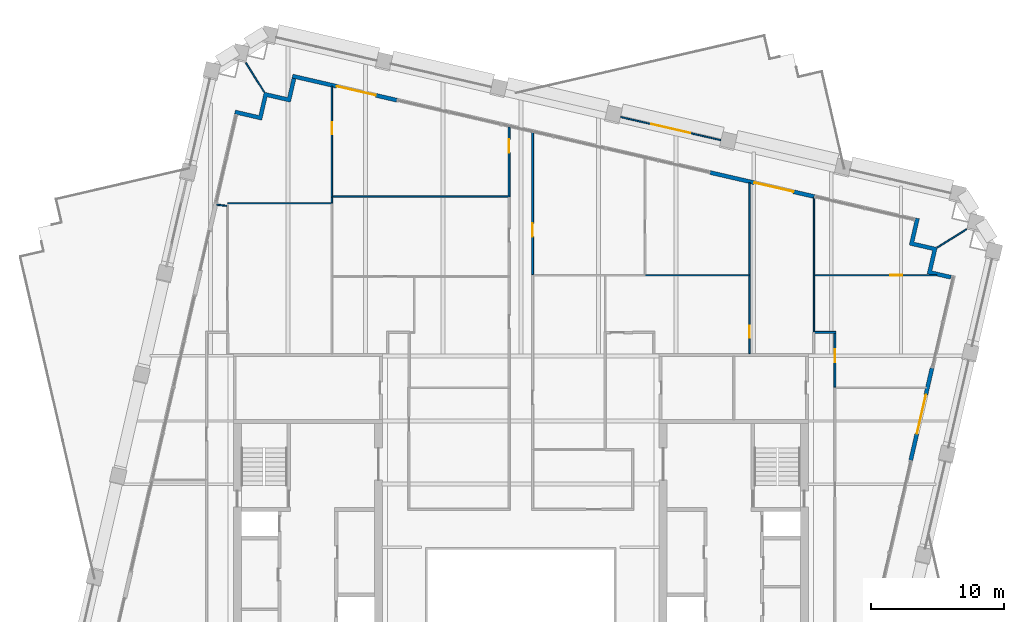
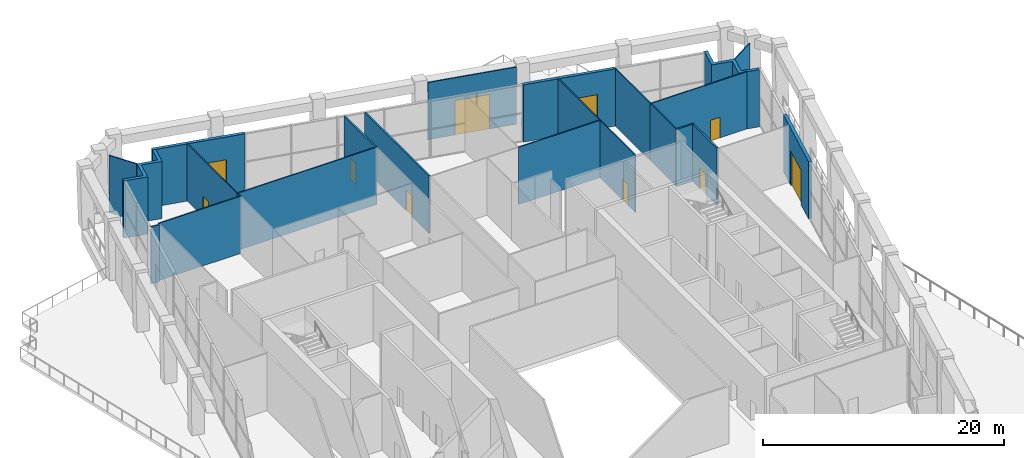
# One storey, part 16 of 21: 23 walls, 10 doors, 10 openings.
"""IFC4 building model written with IfcOpenShell, lengths in metres."""

from ifc_helpers import new_model, si_unit, direction, frame, frame_2d, origin, place, context, subcontext, project, spatial, polyline, rectangle, outline, extrude, material, layer, layer_set, type_object, element, fill, save


model = new_model("IFC4")

# Units and contexts
model_context = context("Model", 3, precision=1e-05, world=origin(), true_north=direction((0.0, 1.0)))
body_context = subcontext(model_context, "Body", "Model", "MODEL_VIEW")
ifc_project = project(units=[si_unit("LENGTHUNIT", "METRE"), si_unit("AREAUNIT", "SQUARE_METRE"), si_unit("VOLUMEUNIT", "CUBIC_METRE"), si_unit("PLANEANGLEUNIT", "RADIAN"), si_unit("MASSUNIT", "GRAM", prefix="KILO")], contexts=[model_context])

# Site, building, storey
site_placement = place(None, origin())
site = spatial("IfcSite", under=ifc_project, at=site_placement, CompositionType="ELEMENT")
building_placement = place(site_placement, origin())
building = spatial("IfcBuilding", under=site, at=building_placement, Name="Ogive Exchange Tower", CompositionType="ELEMENT")
storey_placement = place(building_placement, frame((0.0, 0.0, 237.0)))
storey = spatial("IfcBuildingStorey", under=building, at=storey_placement, Name="L51", CompositionType="ELEMENT", Elevation=237.0)

# Wall, opening, door
ifc_material_1 = material(Name="Fire partition EI 60 150")
ifc_layer_1 = layer(ifc_material_1, 0.14990234375)
ifc_layer_set_1 = layer_set([ifc_layer_1], Name="Fire partition EI 60 150")
wall_type_1 = type_object("IfcWallType", Name="Fire partition EI 60 150", PredefinedType="PARTITIONING", material=ifc_layer_set_1)
wall_1_placement = place(storey_placement, frame((-0.8798828125, 42.550048828125, 0.0), z_axis=(0.0, 0.0, 1.0), x_axis=(0.0, 1.0, 0.0)))
wall_1 = element("IfcWall", 1, at=wall_1_placement, inside=storey, type_object=wall_type_1, Name="L51-PWL-034", PredefinedType="PARTITIONING", context=body_context, shape_type="SweptSolid", body=[
    extrude(rectangle(XDim=5.177978515625, YDim=0.14990234375, at=frame_2d((2.5888671875, 0.0))), origin(), (0.0, 0.0, 1.0), 5.800048828125),
])
opening_1_placement = place(wall_1_placement, frame((3.25, 0.0, 0.0)))
opening_1 = element("IfcOpeningElement", 2, at=opening_1_placement, cuts=wall_1, Name="Opening L51-I06", PredefinedType="OPENING", context=body_context, shape_type="SweptSolid", body=[
    extrude(rectangle(XDim=1.0, YDim=2.10009765625, at=frame_2d((0.5, 1.050048828125))), frame((0.0, 0.0849609375, 0.0), z_axis=(0.0, -1.0, 0.0), x_axis=(1.0, 0.0, 0.0)), (0.0, 0.0, 1.0), 0.169921875),
])
ifc_material_2 = material(Name="Fire door FD 30S 1000 x 2100")
door_type_1 = type_object("IfcDoorType", Name="Fire door FD 30S 1000 x 2100", OperationType="NOTDEFINED", PredefinedType="DOOR", material=ifc_material_2)
door_1_placement = place(opening_1_placement, origin())
door_1 = element("IfcDoor", 3, at=door_1_placement, inside=storey, type_object=door_type_1, Name="L51-IDR-006", ObjectType="DT3", OperationType="SINGLE_SWING_RIGHT", OverallHeight=2.10009765625, OverallWidth=1.0, PredefinedType="DOOR", context=body_context, shape_type="SweptSolid", body=[
    extrude(rectangle(XDim=1.0, YDim=2.10009765625, at=frame_2d((0.5, 1.050048828125))), frame((0.0, 0.02490234375, 0.0), z_axis=(0.0, -1.0, 0.0), x_axis=(1.0, 0.0, 0.0)), (0.0, 0.0, 1.0), 0.050048828125),
])
fill(opening_1, door_1)

wall_2_placement = place(storey_placement, frame((0.8798828125, 47.321044921875, 0.0), z_axis=(0.0, 0.0, 1.0), x_axis=(0.0, -1.0, 0.0)))
wall_2 = element("IfcWall", 4, at=wall_2_placement, inside=storey, type_object=wall_type_1, Name="L51-PWL-040", PredefinedType="PARTITIONING", context=body_context, shape_type="SweptSolid", body=[
    extrude(rectangle(XDim=10.68115234375, YDim=0.14990234375, at=frame_2d((5.340576171875, 0.0))), origin(), (0.0, 0.0, 1.0), 5.800048828125),
])
opening_2_placement = place(wall_2_placement, frame((6.8310546875, 0.0, 0.0)))
opening_2 = element("IfcOpeningElement", 5, at=opening_2_placement, cuts=wall_2, Name="Opening L51-I13", PredefinedType="OPENING", context=body_context, shape_type="SweptSolid", body=[
    extrude(rectangle(XDim=1.0, YDim=2.10009765625, at=frame_2d((0.5, 1.050048828125))), frame((0.0, 0.0849609375, 0.0), z_axis=(0.0, -1.0, 0.0), x_axis=(1.0, 0.0, 0.0)), (0.0, 0.0, 1.0), 0.169921875),
])
door_2_placement = place(opening_2_placement, origin())
door_2 = element("IfcDoor", 6, at=door_2_placement, inside=storey, type_object=door_type_1, Name="L51-IDR-013", ObjectType="DT3", OperationType="SINGLE_SWING_LEFT", OverallHeight=2.10009765625, OverallWidth=1.0, PredefinedType="DOOR", context=body_context, shape_type="SweptSolid", body=[
    extrude(rectangle(XDim=1.0, YDim=2.10009765625, at=frame_2d((0.5, 1.050048828125))), frame((0.0, 0.02490234375, 0.0), z_axis=(0.0, -1.0, 0.0), x_axis=(1.0, 0.0, 0.0)), (0.0, 0.0, 1.0), 0.050048828125),
])
fill(opening_2, door_2)

# Wall
wall_3_placement = place(storey_placement, frame((21.97998046875, 32.300048828125, 0.0), z_axis=(0.0, 0.0, 1.0), x_axis=(1.0, 0.0, 0.0)))
element("IfcWall", 7, at=wall_3_placement, inside=storey, type_object=wall_type_1, Name="L51-PWL-061", PredefinedType="PARTITIONING", context=body_context, shape_type="SweptSolid", body=[
    extrude(rectangle(XDim=1.695068359375, YDim=0.14990234375, at=frame_2d((0.84765625, 0.0))), origin(), (0.0, 0.0, 1.0), 5.800048828125),
])

# Wall, opening, door
wall_4_placement = place(storey_placement, frame((23.60009765625, 32.22509765625, 0.0), z_axis=(0.0, 0.0, 1.0), x_axis=(0.0, -1.0, 0.0)))
wall_4 = element("IfcWall", 8, at=wall_4_placement, inside=storey, type_object=wall_type_1, Name="L51-PWL-069", PredefinedType="PARTITIONING", context=body_context, shape_type="SweptSolid", body=[
    extrude(rectangle(XDim=4.03515625, YDim=0.14990234375, at=frame_2d((2.017578125, 0.0))), origin(), (0.0, 0.0, 1.0), 5.800048828125),
])
opening_3_placement = place(wall_4_placement, frame((1.18505859375, 0.0, 0.0)))
opening_3 = element("IfcOpeningElement", 9, at=opening_3_placement, cuts=wall_4, Name="Opening L51-I19", PredefinedType="OPENING", context=body_context, shape_type="SweptSolid", body=[
    extrude(rectangle(XDim=1.0, YDim=2.10009765625, at=frame_2d((0.5, 1.050048828125))), frame((0.0, 0.0849609375, 0.0), z_axis=(0.0, -1.0, 0.0), x_axis=(1.0, 0.0, 0.0)), (0.0, 0.0, 1.0), 0.169921875),
])
door_3_placement = place(opening_3_placement, origin())
door_3 = element("IfcDoor", 10, at=door_3_placement, inside=storey, type_object=door_type_1, Name="L51-IDR-019", ObjectType="DT3", OperationType="SINGLE_SWING_LEFT", OverallHeight=2.10009765625, OverallWidth=1.0, PredefinedType="DOOR", context=body_context, shape_type="SweptSolid", body=[
    extrude(rectangle(XDim=1.0, YDim=2.10009765625, at=frame_2d((0.5, 1.050048828125))), frame((0.0, 0.02490234375, 0.0), z_axis=(0.0, -1.0, 0.0), x_axis=(1.0, 0.0, 0.0)), (0.0, 0.0, 1.0), 0.050048828125),
])
fill(opening_3, door_3)

ifc_material_3 = material(Name="Precast concrete C40/50", Category="concrete")
ifc_layer_2 = layer(ifc_material_3, 0.300048828125)
ifc_layer_set_2 = layer_set([ifc_layer_2], Name="Limestone-faced wall 300")
wall_type_2 = type_object("IfcWallType", Name="Limestone-faced wall 300", PredefinedType="STANDARD", material=ifc_layer_set_2)
wall_5_placement = place(storey_placement, frame((29.293212890625, 22.689208984375, 0.0), z_axis=(0.0, 0.0, 1.0), x_axis=(0.224949733175, 0.9743703698, 0.0)))
wall_5 = element("IfcWall", 11, at=wall_5_placement, inside=storey, type_object=wall_type_2, Name="External wall E3", PredefinedType="STANDARD", context=body_context, shape_type="SweptSolid", body=[
    extrude(rectangle(XDim=7.1142578125, YDim=0.300048828125, at=frame_2d((3.55712890625, 0.0))), origin(), (0.0, 0.0, 1.0), 5.800048828125),
])
opening_4_placement = place(wall_5_placement, frame((2.05712890625, 0.0, 0.0)))
opening_4 = element("IfcOpeningElement", 12, at=opening_4_placement, cuts=wall_5, Name="Opening D2", PredefinedType="OPENING", context=body_context, shape_type="SweptSolid", body=[
    extrude(rectangle(XDim=3.0, YDim=3.5, at=frame_2d((1.5, 1.75))), frame((0.0, 0.159912109375, 0.0), z_axis=(0.0, -1.0, 0.0), x_axis=(1.0, 0.0, 0.0)), (0.0, 0.0, 1.0), 0.320068359375),
])
ifc_material_4 = material(Name="Clear glass in bronze frame", Category="glass")
door_type_2 = type_object("IfcDoorType", Name="Winter garden sliding door 3000 x 3500", OperationType="DOUBLE_DOOR_SLIDING", PredefinedType="DOOR", material=ifc_material_4)
door_4_placement = place(opening_4_placement, origin())
door_4 = element("IfcDoor", 13, at=door_4_placement, inside=storey, type_object=door_type_2, Name="Loggia door E05", OperationType="DOUBLE_DOOR_SLIDING", OverallHeight=3.5, OverallWidth=3.0, PredefinedType="DOOR", context=body_context, shape_type="SweptSolid", body=[
    extrude(rectangle(XDim=3.0, YDim=3.5, at=frame_2d((1.5, 1.75))), frame((0.0, 0.02490234375, 0.0), z_axis=(0.0, -1.0, 0.0), x_axis=(1.0, 0.0, 0.0)), (0.0, 0.0, 1.0), 0.050048828125),
])
fill(opening_4, door_4)

wall_6_placement = place(storey_placement, frame((22.064697265625, 42.501708984375, 0.0), z_axis=(0.0, 0.0, 1.0), x_axis=(-0.974372279954, 0.224941459176, 0.0)))
wall_6 = element("IfcWall", 14, at=wall_6_placement, inside=storey, type_object=wall_type_2, Name="External wall N4", PredefinedType="STANDARD", context=body_context, shape_type="SweptSolid", body=[
    extrude(rectangle(XDim=8.050048828125, YDim=0.300048828125, at=frame_2d((4.02490234375, 0.0))), origin(), (0.0, 0.0, 1.0), 5.800048828125),
])
opening_5_placement = place(wall_6_placement, frame((1.625, 0.0, 0.0)))
opening_5 = element("IfcOpeningElement", 15, at=opening_5_placement, cuts=wall_6, Name="Opening D2", PredefinedType="OPENING", context=body_context, shape_type="SweptSolid", body=[
    extrude(rectangle(XDim=3.0, YDim=3.5, at=frame_2d((1.5, 1.75))), frame((0.0, 0.159912109375, 0.0), z_axis=(0.0, -1.0, 0.0), x_axis=(1.0, 0.0, 0.0)), (0.0, 0.0, 1.0), 0.320068359375),
])
door_5_placement = place(opening_5_placement, origin())
door_5 = element("IfcDoor", 16, at=door_5_placement, inside=storey, type_object=door_type_2, Name="Loggia door N01", OperationType="DOUBLE_DOOR_SLIDING", OverallHeight=3.5, OverallWidth=3.0, PredefinedType="DOOR", context=body_context, shape_type="SweptSolid", body=[
    extrude(rectangle(XDim=3.0, YDim=3.5, at=frame_2d((1.5, 1.75))), frame((0.0, 0.02490234375, 0.0), z_axis=(0.0, -1.0, 0.0), x_axis=(1.0, 0.0, 0.0)), (0.0, 0.0, 1.0), 0.050048828125),
])
fill(opening_5, door_5)

wall_7_placement = place(storey_placement, frame((-9.31005859375, 49.7451171875, 0.0), z_axis=(0.0, 0.0, 1.0), x_axis=(-0.974372279954, 0.224941459176, 0.0)))
wall_7 = element("IfcWall", 17, at=wall_7_placement, inside=storey, type_object=wall_type_2, Name="External wall N5", PredefinedType="STANDARD", context=body_context, shape_type="SweptSolid", body=[
    extrude(rectangle(XDim=8.050048828125, YDim=0.300048828125, at=frame_2d((4.02490234375, 0.0))), origin(), (0.0, 0.0, 1.0), 5.800048828125),
])
opening_6_placement = place(wall_7_placement, frame((1.625, 0.0, 0.0)))
opening_6 = element("IfcOpeningElement", 18, at=opening_6_placement, cuts=wall_7, Name="Opening D2", PredefinedType="OPENING", context=body_context, shape_type="SweptSolid", body=[
    extrude(rectangle(XDim=3.0, YDim=3.5, at=frame_2d((1.5, 1.75))), frame((0.0, 0.159912109375, 0.0), z_axis=(0.0, -1.0, 0.0), x_axis=(1.0, 0.0, 0.0)), (0.0, 0.0, 1.0), 0.320068359375),
])
door_6_placement = place(opening_6_placement, origin())
door_6 = element("IfcDoor", 19, at=door_6_placement, inside=storey, type_object=door_type_2, Name="Loggia door N05", OperationType="DOUBLE_DOOR_SLIDING", OverallHeight=3.5, OverallWidth=3.0, PredefinedType="DOOR", context=body_context, shape_type="SweptSolid", body=[
    extrude(rectangle(XDim=3.0, YDim=3.5, at=frame_2d((1.5, 1.75))), frame((0.0, 0.02490234375, 0.0), z_axis=(0.0, -1.0, 0.0), x_axis=(1.0, 0.0, 0.0)), (0.0, 0.0, 1.0), 0.050048828125),
])
fill(opening_6, door_6)

# Walls
wall_8_placement = place(storey_placement, origin())
element("IfcWall", 20, at=wall_8_placement, inside=storey, type_object=wall_type_2, Name="External corner wall C2", PredefinedType="STANDARD", context=body_context, shape_type="SweptSolid", body=[
    extrude(outline(polyline([(30.931396484375, 38.453369140625), (29.177490234375, 38.8583984375), (29.64990234375, 40.904541015625), (29.942138671875, 40.8369140625), (29.537109375, 39.0830078125), (31.291015625, 38.67822265625), (30.88623046875, 36.92431640625), (32.34765625, 36.5869140625), (32.2802734375, 36.294677734375), (30.5263671875, 36.699462890625), (30.931396484375, 38.453369140625)])), origin(), (0.0, 0.0, 1.0), 5.800048828125),
])
wall_9_placement = place(storey_placement, origin())
element("IfcWall", 21, at=wall_9_placement, inside=storey, type_object=wall_type_2, Name="External corner wall C3", PredefinedType="STANDARD", context=body_context, shape_type="SweptSolid", body=[
    extrude(outline(polyline([(-21.5048828125, 48.7119140625), (-21.4375, 49.004150390625), (-19.68359375, 48.599365234375), (-19.27880859375, 50.353271484375), (-17.52490234375, 49.9482421875), (-17.1875, 51.409912109375), (-16.89501953125, 51.34228515625), (-17.300048828125, 49.58837890625), (-19.053955078125, 49.993408203125), (-19.458740234375, 48.239501953125), (-21.5048828125, 48.7119140625)])), origin(), (0.0, 0.0, 1.0), 5.800048828125),
])
ifc_material_5 = material(Name="Laminated safety glass in steel frame", Category="steel")
ifc_layer_3 = layer(ifc_material_5, 0.10009765625)
ifc_layer_set_3 = layer_set([ifc_layer_3], Name="Loggia end screen 100")
wall_type_3 = type_object("IfcWallType", Name="Loggia end screen 100", PredefinedType="STANDARD", material=ifc_layer_set_3)
wall_10_placement = place(storey_placement, frame((31.291015625, 38.67822265625, 0.0), z_axis=(0.0, 0.0, 1.0), x_axis=(0.84807753525, 0.529872148923, 0.0)))
element("IfcWall", 22, at=wall_10_placement, inside=storey, type_object=wall_type_3, Name="Loggia end screen C2", PredefinedType="STANDARD", context=body_context, shape_type="SweptSolid", body=[
    extrude(rectangle(XDim=2.596435546875, YDim=0.10009765625, at=frame_2d((1.29833984375, 0.0))), origin(), (0.0, 0.0, 1.0), 5.800048828125),
])
wall_11_placement = place(storey_placement, frame((-19.27880859375, 50.353271484375, 0.0), z_axis=(0.0, 0.0, 1.0), x_axis=(-0.529914407191, 0.848051131154, 0.0)))
element("IfcWall", 23, at=wall_11_placement, inside=storey, type_object=wall_type_3, Name="Loggia end screen C3", PredefinedType="STANDARD", context=body_context, shape_type="SweptSolid", body=[
    extrude(rectangle(XDim=2.59619140625, YDim=0.10009765625, at=frame_2d((1.298095703125, 0.0))), origin(), (0.0, 0.0, 1.0), 5.800048828125),
])

# Wall, opening, door
wall_12_placement = place(storey_placement, frame((15.018798828125, 46.745361328125, 0.0), z_axis=(0.0, 0.0, 1.0), x_axis=(-0.974370377867, 0.224949698234, 0.0)))
wall_12 = element("IfcWall", 24, at=wall_12_placement, inside=storey, type_object=wall_type_3, Name="Terrace screen N02", PredefinedType="STANDARD", context=body_context, shape_type="SweptSolid", body=[
    extrude(rectangle(XDim=7.7099609375, YDim=0.10009765625, at=frame_2d((3.85498046875, 0.0))), origin(), (0.0, 0.0, 1.0), 5.800048828125),
])
opening_7_placement = place(wall_12_placement, frame((2.35498046875, 0.0, 0.0)))
opening_7 = element("IfcOpeningElement", 25, at=opening_7_placement, cuts=wall_12, Name="Opening D4", PredefinedType="OPENING", context=body_context, shape_type="SweptSolid", body=[
    extrude(rectangle(XDim=3.0, YDim=3.5, at=frame_2d((1.5, 1.75))), frame((0.0, 0.06005859375, 0.0), z_axis=(0.0, -1.0, 0.0), x_axis=(1.0, 0.0, 0.0)), (0.0, 0.0, 1.0), 0.1201171875),
])
door_type_3 = type_object("IfcDoorType", Name="Terrace sliding door 3000 x 3500", OperationType="DOUBLE_DOOR_SLIDING", PredefinedType="DOOR", material=ifc_material_4)
door_7_placement = place(opening_7_placement, origin())
door_7 = element("IfcDoor", 26, at=door_7_placement, inside=storey, type_object=door_type_3, Name="Terrace door N02", OperationType="DOUBLE_DOOR_SLIDING", OverallHeight=3.5, OverallWidth=3.0, PredefinedType="DOOR", context=body_context, shape_type="SweptSolid", body=[
    extrude(rectangle(XDim=3.0, YDim=3.5, at=frame_2d((1.5, 1.75))), frame((0.0, 0.02490234375, 0.0), z_axis=(0.0, -1.0, 0.0), x_axis=(1.0, 0.0, 0.0)), (0.0, 0.0, 1.0), 0.050048828125),
])
fill(opening_7, door_7)

# Walls
ifc_material_6 = material(Name="Partition 100 gypsum")
ifc_layer_4 = layer(ifc_material_6, 0.10009765625)
ifc_layer_set_4 = layer_set([ifc_layer_4], Name="Partition 100 gypsum")
wall_type_4 = type_object("IfcWallType", Name="Partition 100 gypsum", PredefinedType="PARTITIONING", material=ifc_layer_set_4)
wall_13_placement = place(storey_placement, frame((-22.080078125, 41.805908203125, 0.0), z_axis=(0.0, 0.0, 1.0), x_axis=(-0.99341992497, 0.114528829, 0.0)))
element("IfcWall", 27, at=wall_13_placement, inside=storey, type_object=wall_type_4, Name="L51-PWL-011", PredefinedType="PARTITIONING", context=body_context, shape_type="SweptSolid", body=[
    extrude(rectangle(XDim=0.778076171875, YDim=0.10009765625, at=frame_2d((0.38916015625, 0.0))), origin(), (0.0, 0.0, 1.0), 5.800048828125),
])
wall_14_placement = place(storey_placement, frame((-22.030029296875, 42.0, 0.0), z_axis=(0.0, 0.0, 1.0), x_axis=(1.0, 0.0, 0.0)))
element("IfcWall", 28, at=wall_14_placement, inside=storey, type_object=wall_type_4, Name="L51-PWL-012", PredefinedType="PARTITIONING", context=body_context, shape_type="SweptSolid", body=[
    extrude(rectangle(XDim=7.89013671875, YDim=0.10009765625, at=frame_2d((3.945068359375, 0.0))), origin(), (0.0, 0.0, 1.0), 5.800048828125),
])
wall_15_placement = place(storey_placement, frame((-14.18994140625, 42.050048828125, 0.0), z_axis=(0.0, 0.0, 1.0), x_axis=(0.0, 1.0, 0.0)))
element("IfcWall", 29, at=wall_15_placement, inside=storey, type_object=wall_type_4, Name="L51-PWL-017", PredefinedType="PARTITIONING", context=body_context, shape_type="SweptSolid", body=[
    extrude(rectangle(XDim=0.39990234375, YDim=0.10009765625, at=frame_2d((0.199951171875, 0.0))), origin(), (0.0, 0.0, 1.0), 5.800048828125),
])

# Wall, opening, door
wall_16_placement = place(storey_placement, frame((-14.18994140625, 42.449951171875, 0.0), z_axis=(0.0, 0.0, 1.0), x_axis=(0.0, 1.0, 0.0)))
wall_16 = element("IfcWall", 30, at=wall_16_placement, inside=storey, type_object=wall_type_4, Name="L51-PWL-018", PredefinedType="PARTITIONING", context=body_context, shape_type="SweptSolid", body=[
    extrude(rectangle(XDim=8.35009765625, YDim=0.10009765625, at=frame_2d((4.175048828125, 0.0))), origin(), (0.0, 0.0, 1.0), 5.800048828125),
])
opening_8_placement = place(wall_16_placement, frame((4.719970703125, 0.0, 0.0)))
opening_8 = element("IfcOpeningElement", 31, at=opening_8_placement, cuts=wall_16, Name="Opening L51-I08", PredefinedType="OPENING", context=body_context, shape_type="SweptSolid", body=[
    extrude(rectangle(XDim=0.89990234375, YDim=2.10009765625, at=frame_2d((0.449951171875, 1.050048828125))), frame((0.0, 0.06005859375, 0.0), z_axis=(0.0, -1.0, 0.0), x_axis=(1.0, 0.0, 0.0)), (0.0, 0.0, 1.0), 0.1201171875),
])
ifc_material_7 = material(Name="Door 900 x 2100")
door_type_4 = type_object("IfcDoorType", Name="Door 900 x 2100", OperationType="NOTDEFINED", PredefinedType="DOOR", material=ifc_material_7)
door_8_placement = place(opening_8_placement, origin())
door_8 = element("IfcDoor", 32, at=door_8_placement, inside=storey, type_object=door_type_4, Name="L51-IDR-008", ObjectType="DT1", OperationType="SINGLE_SWING_LEFT", OverallHeight=2.10009765625, OverallWidth=0.89990234375, PredefinedType="DOOR", context=body_context, shape_type="SweptSolid", body=[
    extrude(rectangle(XDim=0.89990234375, YDim=2.10009765625, at=frame_2d((0.449951171875, 1.050048828125))), frame((0.0, 0.02490234375, 0.0), z_axis=(0.0, -1.0, 0.0), x_axis=(1.0, 0.0, 0.0)), (0.0, 0.0, 1.0), 0.050048828125),
])
fill(opening_8, door_8)

# Walls
wall_17_placement = place(storey_placement, frame((-14.139892578125, 42.5, 0.0), z_axis=(0.0, 0.0, 1.0), x_axis=(1.0, 0.0, 0.0)))
element("IfcWall", 33, at=wall_17_placement, inside=storey, type_object=wall_type_4, Name="L51-PWL-019", PredefinedType="PARTITIONING", context=body_context, shape_type="SweptSolid", body=[
    extrude(rectangle(XDim=13.3349609375, YDim=0.10009765625, at=frame_2d((6.66748046875, 0.0))), origin(), (0.0, 0.0, 1.0), 5.800048828125),
])
wall_18_placement = place(storey_placement, frame((17.239990234375, 36.590087890625, 0.0), z_axis=(0.0, 0.0, 1.0), x_axis=(-1.0, 0.0, 0.0)))
element("IfcWall", 34, at=wall_18_placement, inside=storey, type_object=wall_type_4, Name="L51-PWL-057", PredefinedType="PARTITIONING", context=body_context, shape_type="SweptSolid", body=[
    extrude(rectangle(XDim=7.89990234375, YDim=0.10009765625, at=frame_2d((3.949951171875, 0.0))), origin(), (0.0, 0.0, 1.0), 5.800048828125),
])

# Wall, opening, door
wall_19_placement = place(storey_placement, frame((17.18994140625, 36.5400390625, 0.0), z_axis=(0.0, 0.0, 1.0), x_axis=(0.0, -1.0, 0.0)))
wall_19 = element("IfcWall", 35, at=wall_19_placement, inside=storey, type_object=wall_type_4, Name="L51-PWL-058", PredefinedType="PARTITIONING", context=body_context, shape_type="SweptSolid", body=[
    extrude(rectangle(XDim=5.840087890625, YDim=0.10009765625, at=frame_2d((2.919921875, 0.0))), origin(), (0.0, 0.0, 1.0), 5.800048828125),
])
opening_9_placement = place(wall_19_placement, frame((3.739990234375, 0.0, 0.0)))
opening_9 = element("IfcOpeningElement", 36, at=opening_9_placement, cuts=wall_19, Name="Opening L51-I17", PredefinedType="OPENING", context=body_context, shape_type="SweptSolid", body=[
    extrude(rectangle(XDim=0.89990234375, YDim=2.10009765625, at=frame_2d((0.449951171875, 1.050048828125))), frame((0.0, 0.06005859375, 0.0), z_axis=(0.0, -1.0, 0.0), x_axis=(1.0, 0.0, 0.0)), (0.0, 0.0, 1.0), 0.1201171875),
])
door_9_placement = place(opening_9_placement, frame((0.89990234375, 0.0, 0.0), z_axis=(0.0, 0.0, 1.0), x_axis=(-1.0, 0.0, 0.0)))
door_9 = element("IfcDoor", 37, at=door_9_placement, inside=storey, type_object=door_type_4, Name="L51-IDR-017", ObjectType="DT1", OperationType="SINGLE_SWING_RIGHT", OverallHeight=2.10009765625, OverallWidth=0.89990234375, PredefinedType="DOOR", context=body_context, shape_type="SweptSolid", body=[
    extrude(rectangle(XDim=0.89990234375, YDim=2.10009765625, at=frame_2d((0.449951171875, 1.050048828125))), frame((0.0, 0.02490234375, 0.0), z_axis=(0.0, -1.0, 0.0), x_axis=(1.0, 0.0, 0.0)), (0.0, 0.0, 1.0), 0.050048828125),
])
fill(opening_9, door_9)

# Walls
wall_20_placement = place(storey_placement, frame((17.18994140625, 43.555908203125, 0.0), z_axis=(0.0, 0.0, 1.0), x_axis=(0.0, -1.0, 0.0)))
element("IfcWall", 38, at=wall_20_placement, inside=storey, type_object=wall_type_4, Name="L51-PWL-059", PredefinedType="PARTITIONING", context=body_context, shape_type="SweptSolid", body=[
    extrude(rectangle(XDim=6.916015625, YDim=0.10009765625, at=frame_2d((3.4580078125, 0.0))), origin(), (0.0, 0.0, 1.0), 5.800048828125),
])
wall_21_placement = place(storey_placement, frame((22.030029296875, 36.639892578125, 0.0), z_axis=(0.0, 0.0, 1.0), x_axis=(0.0, -1.0, 0.0)))
element("IfcWall", 39, at=wall_21_placement, inside=storey, type_object=wall_type_4, Name="L51-PWL-062", PredefinedType="PARTITIONING", context=body_context, shape_type="SweptSolid", body=[
    extrude(rectangle(XDim=4.264892578125, YDim=0.10009765625, at=frame_2d((2.13232421875, 0.0))), origin(), (0.0, 0.0, 1.0), 5.800048828125),
])

# Wall, opening, door
wall_22_placement = place(storey_placement, frame((22.080078125, 36.590087890625, 0.0), z_axis=(0.0, 0.0, 1.0), x_axis=(1.0, 0.0, 0.0)))
wall_22 = element("IfcWall", 40, at=wall_22_placement, inside=storey, type_object=wall_type_4, Name="L51-PWL-063", PredefinedType="PARTITIONING", context=body_context, shape_type="SweptSolid", body=[
    extrude(rectangle(XDim=9.1650390625, YDim=0.10009765625, at=frame_2d((4.58251953125, 0.0))), origin(), (0.0, 0.0, 1.0), 5.800048828125),
])
opening_10_placement = place(wall_22_placement, frame((5.669921875, 0.0, 0.0)))
opening_10 = element("IfcOpeningElement", 41, at=opening_10_placement, cuts=wall_22, Name="Opening L51-I20", PredefinedType="OPENING", context=body_context, shape_type="SweptSolid", body=[
    extrude(rectangle(XDim=0.89990234375, YDim=2.10009765625, at=frame_2d((0.449951171875, 1.050048828125))), frame((0.0, 0.06005859375, 0.0), z_axis=(0.0, -1.0, 0.0), x_axis=(1.0, 0.0, 0.0)), (0.0, 0.0, 1.0), 0.1201171875),
])
door_10_placement = place(opening_10_placement, origin())
door_10 = element("IfcDoor", 42, at=door_10_placement, inside=storey, type_object=door_type_4, Name="L51-IDR-020", ObjectType="DT1", OperationType="SINGLE_SWING_RIGHT", OverallHeight=2.10009765625, OverallWidth=0.89990234375, PredefinedType="DOOR", context=body_context, shape_type="SweptSolid", body=[
    extrude(rectangle(XDim=0.89990234375, YDim=2.10009765625, at=frame_2d((0.449951171875, 1.050048828125))), frame((0.0, 0.02490234375, 0.0), z_axis=(0.0, -1.0, 0.0), x_axis=(1.0, 0.0, 0.0)), (0.0, 0.0, 1.0), 0.050048828125),
])
fill(opening_10, door_10)

# Wall
wall_23_placement = place(storey_placement, frame((22.030029296875, 42.43798828125, 0.0), z_axis=(0.0, 0.0, 1.0), x_axis=(0.0, -1.0, 0.0)))
element("IfcWall", 43, at=wall_23_placement, inside=storey, type_object=wall_type_4, Name="L51-PWL-064", PredefinedType="PARTITIONING", context=body_context, shape_type="SweptSolid", body=[
    extrude(rectangle(XDim=5.847900390625, YDim=0.10009765625, at=frame_2d((2.923828125, 0.0))), origin(), (0.0, 0.0, 1.0), 5.800048828125),
])

save(model, "model.ifc")
